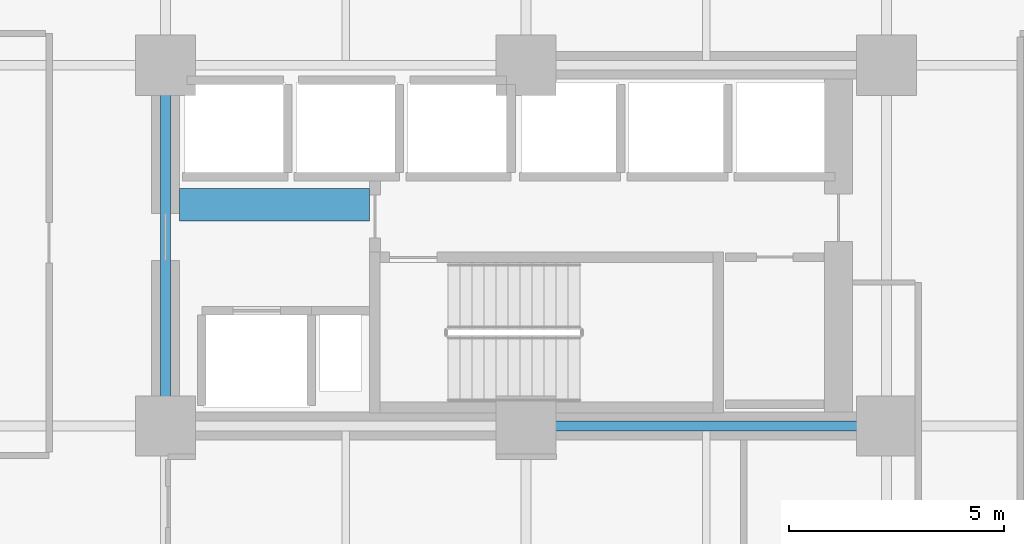
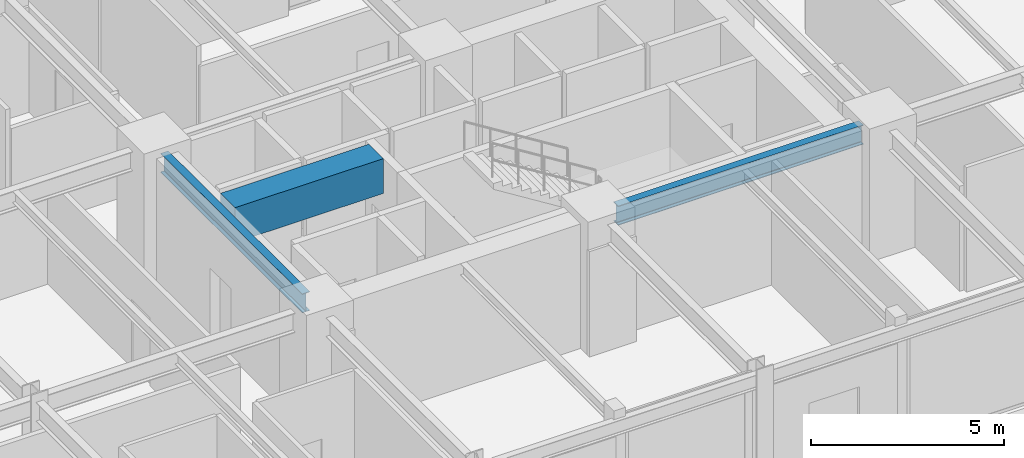
# One storey, part 5 of 24: 3 beams.
"""IFC4 building model written with IfcOpenShell, lengths in metres."""

import ifcopenshell
import ifcopenshell.guid

model = None  # the IFC model being written
_history = None  # IfcOwnerHistory: only IFC2X3 demands one
_inside = {}  # id of a spatial element -> (the spatial element, [elements in it])
_under = {}  # id of a project, library or spatial element -> (it, [spatial elements below it])
_declared = {}  # id of a project -> (the project, [libraries it declares])
_typed = {}  # id of a type object -> (the type object, [elements of that type])
_made_of = {}  # id of a material, layer set ... -> (it, [elements and type objects made of it])


def new_model(schema):
    """Start an empty IFC model of exactly this schema.

    Asked for "IFC4X3", IfcOpenShell would pick the latest addendum, in which some entities
    have other attributes; the version numbers below select the first issue.
    IFC2X3 requires an IfcOwnerHistory on every rooted entity: one is made here for all.
    """
    global model, _history
    if schema == "IFC4X3":
        model = ifcopenshell.file(schema_version=(4, 3, 0, 0))
    else:
        model = ifcopenshell.file(schema=schema)
    _inside.clear()
    _under.clear()
    _declared.clear()
    _typed.clear()
    _made_of.clear()
    _history = None
    if model.schema == "IFC2X3":
        org = make("IfcOrganization", Name="unknown")
        user = make(
            "IfcPersonAndOrganization",
            ThePerson=make("IfcPerson", FamilyName="unknown"),
            TheOrganization=org,
        )
        app = make(
            "IfcApplication",
            ApplicationDeveloper=org,
            Version="unknown",
            ApplicationFullName="unknown",
            ApplicationIdentifier="unknown",
        )
        _history = make(
            "IfcOwnerHistory",
            OwningUser=user,
            OwningApplication=app,
            ChangeAction="ADDED",
            CreationDate=0,
        )
    return model


def make(cls, **values):
    """One entity of the class cls with the attributes given. An attribute that is None is left unset."""
    return model.create_entity(
        cls, **{name: value for name, value in values.items() if value is not None}
    )


def rooted(cls, **values):
    """An entity with a GlobalId (a new one), such as an element, a storey or a relation."""
    return make(cls, GlobalId=ifcopenshell.guid.new(), OwnerHistory=_history, **values)


def si_unit(unit_type, name, prefix=None):
    """IfcSIUnit, for example si_unit("LENGTHUNIT", "METRE", prefix="MILLI")."""
    return make("IfcSIUnit", UnitType=unit_type, Prefix=prefix, Name=name)


def assignment(units):
    """IfcUnitAssignment: the units of a project."""
    return None if units is None else make("IfcUnitAssignment", Units=units)


def point(xyz):
    """IfcCartesianPoint."""
    return None if xyz is None else make("IfcCartesianPoint", Coordinates=xyz)


def direction(xyz):
    """IfcDirection."""
    return None if xyz is None else make("IfcDirection", DirectionRatios=xyz)


def frame(location, z_axis=None, x_axis=None):
    """IfcAxis2Placement3D, a coordinate frame: its origin and axes. An axis left out is left unset."""
    return make(
        "IfcAxis2Placement3D",
        Location=point(location),
        Axis=direction(z_axis),
        RefDirection=direction(x_axis),
    )


def frame_2d(location, x_axis=None):
    """IfcAxis2Placement2D, a coordinate frame in the plane: its origin and x axis."""
    return make(
        "IfcAxis2Placement2D", Location=point(location), RefDirection=direction(x_axis)
    )


def origin():
    """The frame at (0, 0, 0) with its axes left unset."""
    return frame((0.0, 0.0, 0.0))


def origin_2d():
    """The frame at (0, 0) in the plane with its x axis left unset."""
    return frame_2d((0.0, 0.0))


def place(relative_to, where):
    """IfcLocalPlacement: puts the frame where relative to a parent placement (None: the world)."""
    return make(
        "IfcLocalPlacement", PlacementRelTo=relative_to, RelativePlacement=where
    )


def context(
    kind, dimensions, precision=None, world=None, true_north=None, identifier=None
):
    """IfcGeometricRepresentationContext, for example the 3D "Model" context."""
    return make(
        "IfcGeometricRepresentationContext",
        ContextIdentifier=identifier,
        ContextType=kind,
        CoordinateSpaceDimension=dimensions,
        Precision=precision,
        WorldCoordinateSystem=world,
        TrueNorth=true_north,
    )


def subcontext(parent, identifier, kind, view, scale=None):
    """IfcGeometricRepresentationSubContext, for example "Body" below "Model"."""
    return make(
        "IfcGeometricRepresentationSubContext",
        ContextIdentifier=identifier,
        ContextType=kind,
        ParentContext=parent,
        TargetScale=scale,
        TargetView=view,
    )


def project(units=None, contexts=None):
    """IfcProject with its units and contexts."""
    return rooted(
        "IfcProject",
        Name="project",
        RepresentationContexts=contexts,
        UnitsInContext=assignment(units),
    )


def spatial(cls, under=None, at=None, **own):
    """A site, building, storey or space (cls), placed at a placement, below another one or the project."""
    s = rooted(cls, ObjectPlacement=at, **own)
    if under is not None:
        _under.setdefault(under.id(), (under, []))[1].append(s)
    return s


def profile(cls, at=None, kind="AREA", **sizes):
    """A parametric profile (cls). Its sizes go by their IFC names, for example OverallWidth=200.0."""
    return make(cls, ProfileType=kind, Position=at, **sizes)


def rectangle(**sizes):
    """IfcRectangleProfileDef."""
    return profile("IfcRectangleProfileDef", **sizes)


def i_section(**sizes):
    """IfcIShapeProfileDef."""
    return profile("IfcIShapeProfileDef", **sizes)


def extrude(swept, where, along, depth):
    """IfcExtrudedAreaSolid: the profile swept, set in the frame where, extruded along a direction by depth."""
    return make(
        "IfcExtrudedAreaSolid",
        SweptArea=swept,
        Position=where,
        ExtrudedDirection=direction(along),
        Depth=depth,
    )


def shape(context_of_items, identifier, shape_type, items):
    """IfcShapeRepresentation: the items that make up one representation, for example the "Body"."""
    return make(
        "IfcShapeRepresentation",
        ContextOfItems=context_of_items,
        RepresentationIdentifier=identifier,
        RepresentationType=shape_type,
        Items=items,
    )


def material(Name=None, Category=None):
    """IfcMaterial."""
    return make("IfcMaterial", Name=Name, Category=Category)


def material_profile(
    of_material, cross_section, Name=None, Category=None, Priority=None
):
    """IfcMaterialProfile: a cross section and its material."""
    return make(
        "IfcMaterialProfile",
        Name=Name,
        Material=of_material,
        Profile=cross_section,
        Priority=Priority,
        Category=Category,
    )


def profile_set(profiles, Name=None, composite=None):
    """IfcMaterialProfileSet."""
    return make(
        "IfcMaterialProfileSet",
        Name=Name,
        MaterialProfiles=profiles,
        CompositeProfile=composite,
    )


def made_of(thing, what):
    """Note that an element or type object is made of a material, layer set ...; save() writes the relation."""
    if what is not None:
        _made_of.setdefault(what.id(), (what, []))[1].append(thing)
    return thing


def type_object(cls, material=None, **own):
    """A type object (cls), such as IfcWallType, which elements share."""
    return made_of(rooted(cls, **own), material)


def element(
    cls,
    number,
    at=None,
    inside=None,
    cuts=None,
    type_object=None,
    material=None,
    context=None,
    identifier="Body",
    shape_type=None,
    held_by="IfcProductDefinitionShape",
    body=None,
    shapes=None,
    **own,
):
    """One element of the class cls, such as IfcWall. Its Tag is "e" and its number.

    at: its placement. inside: the storey or other place that contains it. cuts: it is an
    opening in that element (IfcRelVoidsElement). A single representation is given by context,
    identifier, shape_type and body (its items); several are given by shapes. held_by: the class
    of the entity that holds the representations. save() writes the other relations.
    """
    e = rooted(cls, Tag="e%d" % number, ObjectPlacement=at, **own)
    if body is not None:
        shapes = [shape(context, identifier, shape_type, body)]
    if shapes is not None:
        e.Representation = make(held_by, Representations=shapes)
    if inside is not None:
        _inside.setdefault(inside.id(), (inside, []))[1].append(e)
    if cuts is not None:
        rooted(
            "IfcRelVoidsElement", RelatingBuildingElement=cuts, RelatedOpeningElement=e
        )
    if type_object is not None:
        _typed.setdefault(type_object.id(), (type_object, []))[1].append(e)
    return made_of(e, material)


def aggregate(whole, parts):
    """IfcRelAggregates: a whole, such as a stair, and the parts it consists of."""
    return rooted("IfcRelAggregates", RelatingObject=whole, RelatedObjects=parts)


def save(model, path):
    """Write the relations noted so far, then the file.

    IfcRelAggregates (storeys below a building ...), IfcRelContainedInSpatialStructure (elements
    in a storey), IfcRelDefinesByType, IfcRelAssociatesMaterial and IfcRelDeclares: one each for
    every whole, place, type object, material and project.
    """
    for whole, parts in _under.values():
        aggregate(whole, parts)
    for where, things in _inside.values():
        rooted(
            "IfcRelContainedInSpatialStructure",
            RelatedElements=things,
            RelatingStructure=where,
        )
    for kind, things in _typed.values():
        rooted("IfcRelDefinesByType", RelatedObjects=things, RelatingType=kind)
    for what, things in _made_of.values():
        rooted("IfcRelAssociatesMaterial", RelatedObjects=things, RelatingMaterial=what)
    for by, libraries in _declared.values():
        rooted("IfcRelDeclares", RelatingContext=by, RelatedDefinitions=libraries)
    model.write(path)


model = new_model("IFC4")

# Units and contexts
model_context = context("Model", 3, precision=1e-05, world=origin(), true_north=direction((0.0, 1.0)))
body_context = subcontext(model_context, "Body", "Model", "MODEL_VIEW")
ifc_project = project(units=[si_unit("LENGTHUNIT", "METRE"), si_unit("AREAUNIT", "SQUARE_METRE"), si_unit("VOLUMEUNIT", "CUBIC_METRE"), si_unit("PLANEANGLEUNIT", "RADIAN"), si_unit("MASSUNIT", "GRAM", prefix="KILO")], contexts=[model_context])

# Site, building, storey
site_placement = place(None, origin())
site = spatial("IfcSite", under=ifc_project, at=site_placement, CompositionType="ELEMENT")
building_placement = place(site_placement, origin())
building = spatial("IfcBuilding", under=site, at=building_placement, Name="Nerrivon Quay Data Exchange", CompositionType="ELEMENT")
storey_placement = place(building_placement, frame((0.0, 0.0, 45.800048828125)))
storey = spatial("IfcBuildingStorey", under=building, at=storey_placement, Name="L10", CompositionType="ELEMENT", Elevation=45.800048828125)

# Beams
ifc_material_1 = material(Name="Concrete S65 (65 MPa)", Category="concrete")
ifc_material_profile_1 = material_profile(ifc_material_1, rectangle(XDim=0.75, YDim=1.10009765625, at=origin_2d()), Name="RC-CB-750x1100")
ifc_profile_set_1 = profile_set([ifc_material_profile_1], Name="Concrete S65 (65 MPa)")
beam_type_1 = type_object("IfcBeamType", Name="BM-CB1-750x1100", PredefinedType="LINTEL", material=ifc_profile_set_1)
beam_1_placement = place(storey_placement, frame((17.125, 13.550048828125, 3.375), z_axis=(1.0, 0.0, 0.0), x_axis=(0.0, 1.0, 0.0)))
element("IfcBeam", 1, at=beam_1_placement, inside=storey, type_object=beam_type_1, Name="L10 East Core Coupling Beam", PredefinedType="LINTEL", context=body_context, shape_type="SweptSolid", body=[
    extrude(rectangle(XDim=0.75, YDim=1.10009765625, at=origin_2d()), origin(), (0.0, 0.0, 1.0), 4.429931640625),
])
ifc_material_2 = material(Name="Steel Grade 350", Category="steel")
ifc_material_profile_2 = material_profile(ifc_material_2, i_section(OverallWidth=0.22900390625, OverallDepth=0.612060546875, WebThickness=0.011962890625, FlangeThickness=0.01953125, FilletRadius=0.013916015625, at=origin_2d()), Name="610UB125")
ifc_profile_set_2 = profile_set([ifc_material_profile_2], Name="Steel Grade 350")
beam_type_2 = type_object("IfcBeamType", Name="BM-G1-610UB125", PredefinedType="BEAM", material=ifc_profile_set_2)
beam_2_placement = place(storey_placement, frame((25.739990234375, 8.39990234375, 3.618896484375), z_axis=(1.0, 0.0, 0.0), x_axis=(0.0, 1.0, 0.0)))
element("IfcBeam", 2, at=beam_2_placement, inside=storey, type_object=beam_type_2, Name="L10 EW Girder Y=8.4 (25.2..33.6)", PredefinedType="BEAM", context=body_context, shape_type="SweptSolid", body=[
    extrude(i_section(OverallWidth=0.22900390625, OverallDepth=0.612060546875, WebThickness=0.011962890625, FlangeThickness=0.01953125, FilletRadius=0.013916015625, at=origin_2d()), origin(), (0.0, 0.0, 1.0), 7.320068359375),
])
ifc_material_profile_3 = material_profile(ifc_material_2, i_section(OverallWidth=0.22802734375, OverallDepth=0.60205078125, WebThickness=0.010498046875, FlangeThickness=0.014892578125, FilletRadius=0.013916015625, at=origin_2d()), Name="610UB101")
ifc_profile_set_3 = profile_set([ifc_material_profile_3], Name="Steel Grade 350")
beam_type_3 = type_object("IfcBeamType", Name="BM-G2-610UB101", PredefinedType="BEAM", material=ifc_profile_set_3)
beam_3_placement = place(storey_placement, frame((16.800048828125, 8.93994140625, 3.6240234375), z_axis=(0.0, 1.0, 0.0), x_axis=(-1.0, 0.0, 0.0)))
element("IfcBeam", 3, at=beam_3_placement, inside=storey, type_object=beam_type_3, Name="L10 NS Girder X=16.8 (8.4..16.8)", PredefinedType="BEAM", context=body_context, shape_type="SweptSolid", body=[
    extrude(i_section(OverallWidth=0.22802734375, OverallDepth=0.60205078125, WebThickness=0.010498046875, FlangeThickness=0.014892578125, FilletRadius=0.013916015625, at=origin_2d()), origin(), (0.0, 0.0, 1.0), 7.320068359375),
])

save(model, "model.ifc")
